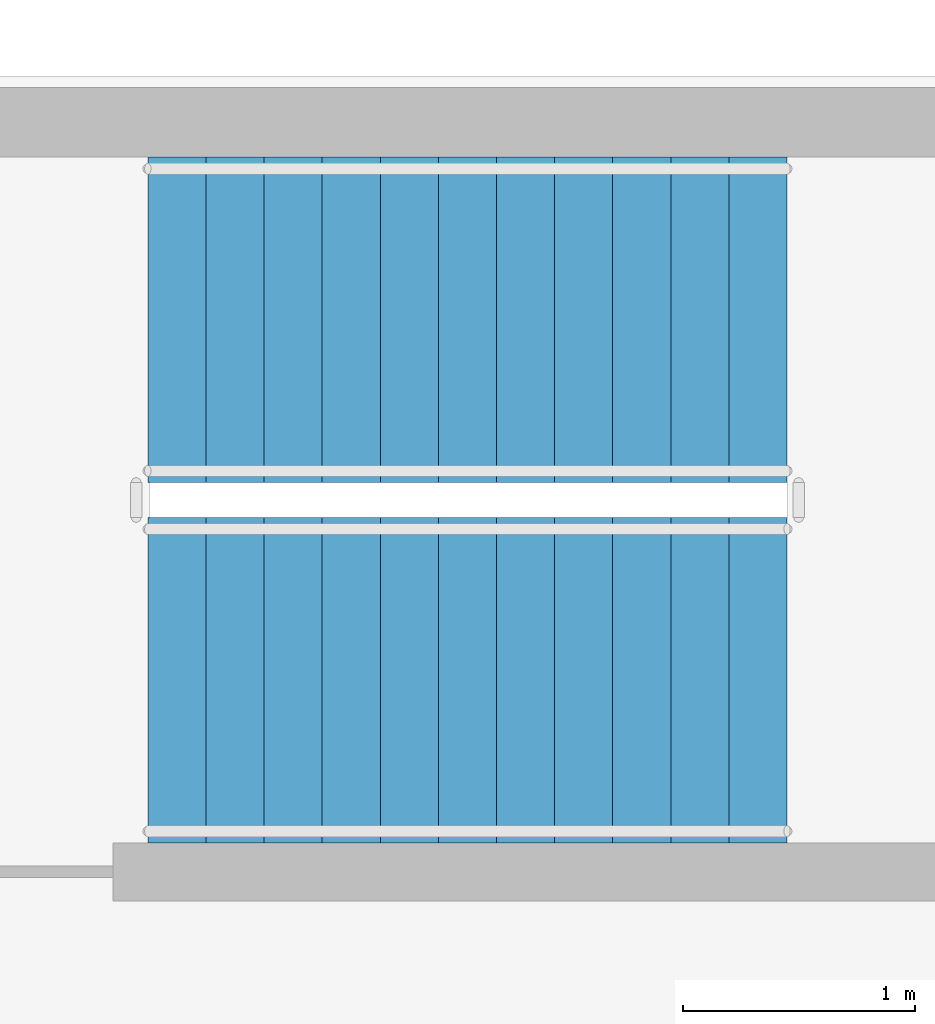
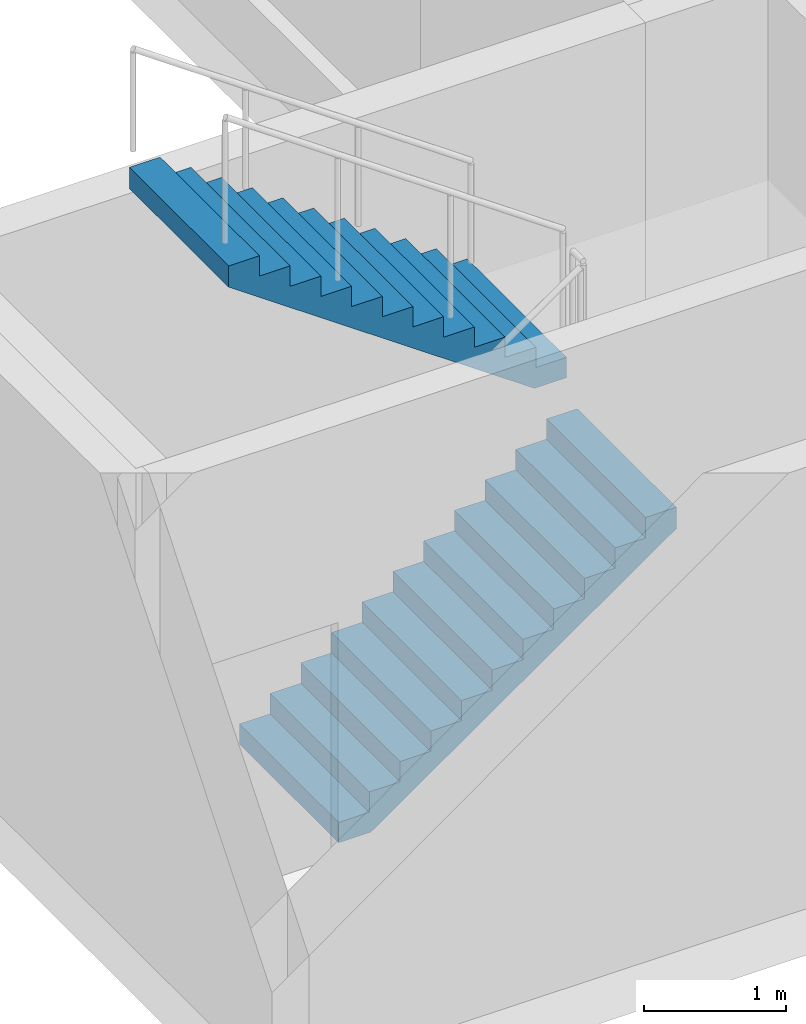
# One storey, part 10 of 15: 2 stair flights, 1 element without a shape of its own.
"""IFC4 building model written with IfcOpenShell, lengths in metres."""

from ifc_helpers import new_model, si_unit, direction, frame, origin, place, context, subcontext, project, spatial, polyline, outline, extrude, source, transform, mapped, material, type_object, element, aggregate, save


model = new_model("IFC4")

# Units and contexts
model_context = context("Model", 3, precision=1e-05, world=origin(), true_north=direction((0.0, 1.0)))
body_context = subcontext(model_context, "Body", "Model", "MODEL_VIEW")
ifc_project = project(units=[si_unit("LENGTHUNIT", "METRE"), si_unit("AREAUNIT", "SQUARE_METRE"), si_unit("VOLUMEUNIT", "CUBIC_METRE"), si_unit("PLANEANGLEUNIT", "RADIAN"), si_unit("MASSUNIT", "GRAM", prefix="KILO")], contexts=[model_context])

# Site, building, storey
site_placement = place(None, origin())
site = spatial("IfcSite", under=ifc_project, at=site_placement, CompositionType="ELEMENT")
building_placement = place(site_placement, origin())
building = spatial("IfcBuilding", under=site, at=building_placement, Name="Aurelian Terraces", CompositionType="ELEMENT")
storey_placement = place(building_placement, frame((0.0, 0.0, 120.3)))
storey = spatial("IfcBuildingStorey", under=building, at=storey_placement, Name="L26", CompositionType="ELEMENT", Elevation=120.3)

# Stair, stair flights
ifc_material = material(Name="Concrete fc' 40 MPa", Category="concrete")
stair_type = type_object("IfcStairType", Name="Stair 1400", PredefinedType="HALF_TURN_STAIR", material=ifc_material)
stair_placement = place(storey_placement, origin())
stair = element("IfcStair", 1, at=stair_placement, inside=storey, type_object=stair_type, Name="L26 S3", PredefinedType="HALF_TURN_STAIR")
stair_flight_type = type_object("IfcStairFlightType", Name="Stair flight 1400", PredefinedType="STRAIGHT", material=ifc_material)
shared_shape = source(origin(), body_context, "Body", "SweptSolid", [
    extrude(outline(polyline([(0.0, 0.0), (0.0, 0.175), (0.25, 0.175), (0.25, 0.35), (0.5, 0.35), (0.5, 0.525), (0.75, 0.525), (0.75, 0.7), (1.0, 0.7), (1.0, 0.875), (1.25, 0.875), (1.25, 1.05), (1.5, 1.05), (1.5, 1.225), (1.75, 1.225), (1.75, 1.4), (2.0, 1.4), (2.0, 1.575), (2.25, 1.575), (2.25, 1.75), (2.5, 1.75), (2.5, 1.925), (2.75, 1.925), (2.75, 2.1), (2.75, 1.7419), (0.2616, 0.0), (0.0, 0.0)])), frame((0.0, 0.7, 0.0), z_axis=(0.0, -1.0, 0.0), x_axis=(1.0, 0.0, 0.0)), (0.0, 0.0, 1.0), 1.4),
])
stair_flight_1_placement = place(storey_placement, frame((2.1, 41.35, 2e-08), z_axis=(0.0, 0.0, 1.0), x_axis=(1.0, 0.0, 0.0)))
stair_flight_1 = element("IfcStairFlight", 2, at=stair_flight_1_placement, type_object=stair_flight_type, Name="S3 flight 1", NumberOfRisers=12, NumberOfTreads=11, PredefinedType="STRAIGHT", RiserHeight=0.175, TreadLength=0.25, context=body_context, shape_type="MappedRepresentation", body=[
    mapped(shared_shape, transform((0.0, 0.0, 0.0), scale=1.0)),
])
stair_flight_2_placement = place(storey_placement, frame((4.85, 42.9, 2.1000000200000084), z_axis=(0.0, 0.0, 1.0), x_axis=(-1.0, 0.0, 0.0)))
stair_flight_2 = element("IfcStairFlight", 3, at=stair_flight_2_placement, type_object=stair_flight_type, Name="S3 flight 2", NumberOfRisers=12, NumberOfTreads=11, PredefinedType="STRAIGHT", RiserHeight=0.175, TreadLength=0.25, context=body_context, shape_type="MappedRepresentation", body=[
    mapped(shared_shape, transform((0.0, 0.0, 0.0), scale=1.0)),
])
aggregate(stair, [stair_flight_1, stair_flight_2])

save(model, "model.ifc")
